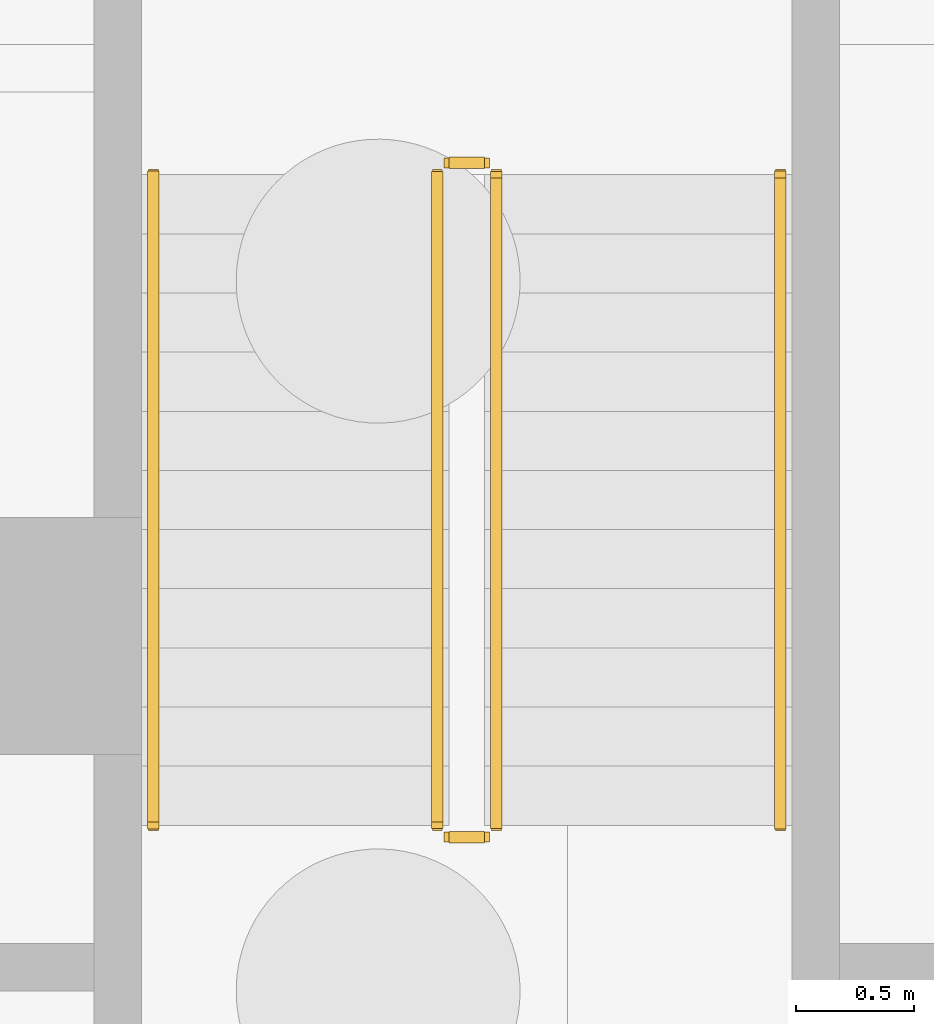
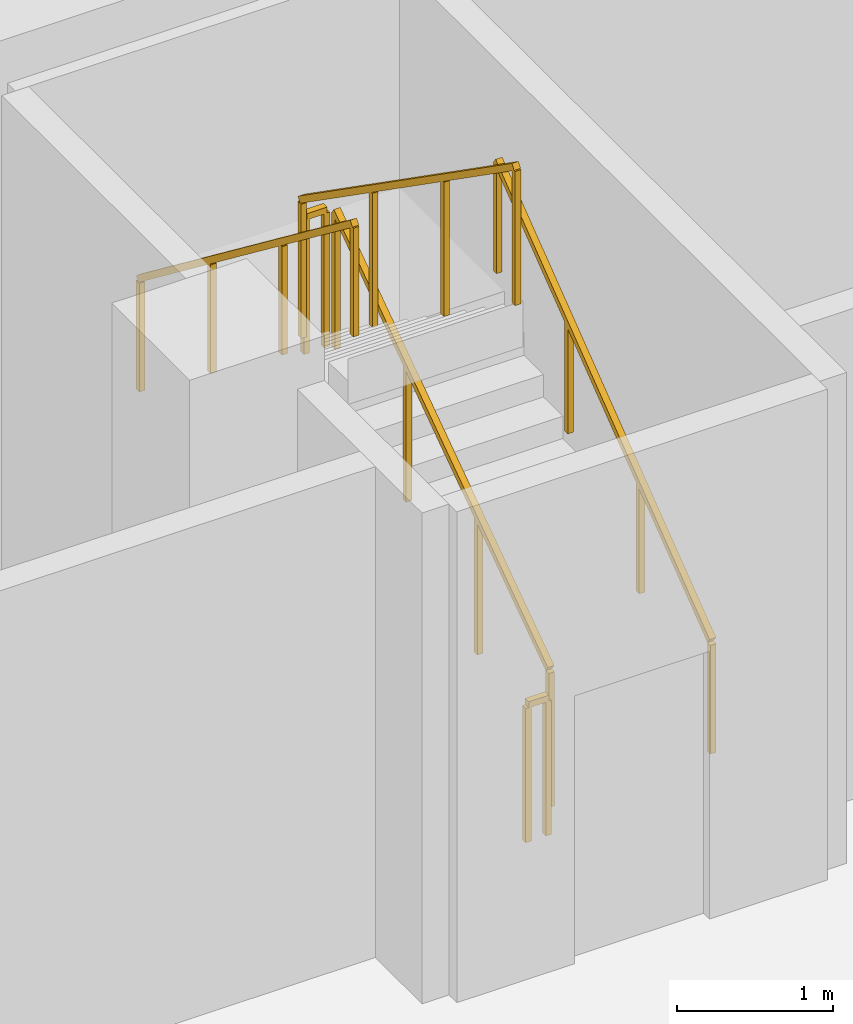
# One storey, part 19 of 21: 6 railings.
"""IFC4 building model written with IfcOpenShell, lengths in metres."""

from ifc_helpers import new_model, si_unit, direction, frame, origin, origin_2d, place, context, subcontext, project, spatial, rectangle, extrude, material, type_object, element, save


model = new_model("IFC4")

# Units and contexts
model_context = context("Model", 3, precision=1e-05, world=origin(), true_north=direction((0.0, 1.0)))
body_context = subcontext(model_context, "Body", "Model", "MODEL_VIEW")
ifc_project = project(units=[si_unit("LENGTHUNIT", "METRE"), si_unit("AREAUNIT", "SQUARE_METRE"), si_unit("VOLUMEUNIT", "CUBIC_METRE"), si_unit("PLANEANGLEUNIT", "RADIAN"), si_unit("MASSUNIT", "GRAM", prefix="KILO")], contexts=[model_context])

# Site, building, storey
site_placement = place(None, origin())
site = spatial("IfcSite", under=ifc_project, at=site_placement, CompositionType="ELEMENT")
building_placement = place(site_placement, origin())
building = spatial("IfcBuilding", under=site, at=building_placement, Name="Beryl Residences", CompositionType="ELEMENT")
storey_placement = place(building_placement, frame((0.0, 0.0, -8.39990234375)))
storey = spatial("IfcBuildingStorey", under=building, at=storey_placement, Name="B2", CompositionType="ELEMENT", Elevation=-8.39990234375)

# Railings
ifc_material_1 = material(Name="Stainless steel balustrade with glass infill", Category="steel")
railing_type_1 = type_object("IfcRailingType", Name="SG1 stair guard 1100 mm", PredefinedType="GUARDRAIL", material=ifc_material_1)
railing_1_placement = place(storey_placement, frame((-8.800048828125, 35.199951171875, 0.1748046875)))
element("IfcRailing", 1, at=railing_1_placement, inside=storey, type_object=railing_type_1, Name="B2 BS-2 stair guard 1", PredefinedType="GUARDRAIL", context=body_context, shape_type="SweptSolid", body=[
    extrude(rectangle(XDim=0.048095703125, YDim=0.048095703125, at=origin_2d()), frame((0.0, 0.0, 1.076171875), z_axis=(0.0, 0.819225086817, 0.573472106672), x_axis=(-1.0, 0.0, 0.0)), (0.0, 0.0, 1.0), 3.35693359375),
    extrude(rectangle(XDim=0.0419921875, YDim=0.0419921875, at=origin_2d()), origin(), (0.0, 0.0, 1.0), 1.052001953125),
    extrude(rectangle(XDim=0.0419921875, YDim=0.0419921875, at=origin_2d()), frame((0.0, 0.916748046875, 0.6416015625)), (0.0, 0.0, 1.0), 1.052001953125),
    extrude(rectangle(XDim=0.0419921875, YDim=0.0419921875, at=origin_2d()), frame((0.0, 1.833251953125, 1.283447265625)), (0.0, 0.0, 1.0), 1.052001953125),
    extrude(rectangle(XDim=0.0419921875, YDim=0.0419921875, at=origin_2d()), frame((0.0, 2.75, 1.925048828125)), (0.0, 0.0, 1.0), 1.052001953125),
])
railing_2_placement = place(storey_placement, frame((-8.85009765625, 38.0, 2.099853515625)))
element("IfcRailing", 2, at=railing_2_placement, inside=storey, type_object=railing_type_1, Name="B2 BS-2 stair guard 2", PredefinedType="GUARDRAIL", context=body_context, shape_type="SweptSolid", body=[
    extrude(rectangle(XDim=0.048095703125, YDim=0.048095703125, at=origin_2d()), frame((0.0, 0.0, 1.076171875), z_axis=(-1.0, 0.0, 0.0), x_axis=(0.0, -1.0, 0.0)), (0.0, 0.0, 1.0), 0.14990234375),
    extrude(rectangle(XDim=0.0419921875, YDim=0.0419921875, at=origin_2d()), origin(), (0.0, 0.0, 1.0), 1.052001953125),
    extrude(rectangle(XDim=0.0419921875, YDim=0.0419921875, at=origin_2d()), frame((-0.14990234375, 0.0, 0.0)), (0.0, 0.0, 1.0), 1.052001953125),
])
railing_3_placement = place(storey_placement, frame((-9.050048828125, 37.949951171875, 2.27490234375)))
element("IfcRailing", 3, at=railing_3_placement, inside=storey, type_object=railing_type_1, Name="B2 BS-2 stair guard 3", PredefinedType="GUARDRAIL", context=body_context, shape_type="SweptSolid", body=[
    extrude(rectangle(XDim=0.048095703125, YDim=0.048095703125, at=origin_2d()), frame((0.0, 0.0, 1.076171875), z_axis=(0.0, -0.819225086817, 0.573472106672), x_axis=(1.0, 0.0, 0.0)), (0.0, 0.0, 1.0), 3.35693359375),
    extrude(rectangle(XDim=0.0419921875, YDim=0.0419921875, at=origin_2d()), origin(), (0.0, 0.0, 1.0), 1.052001953125),
    extrude(rectangle(XDim=0.0419921875, YDim=0.0419921875, at=origin_2d()), frame((0.0, -0.916748046875, 0.6416015625)), (0.0, 0.0, 1.0), 1.052001953125),
    extrude(rectangle(XDim=0.0419921875, YDim=0.0419921875, at=origin_2d()), frame((0.0, -1.833251953125, 1.283447265625)), (0.0, 0.0, 1.0), 1.052001953125),
    extrude(rectangle(XDim=0.0419921875, YDim=0.0419921875, at=origin_2d()), frame((0.0, -2.75, 1.925048828125)), (0.0, 0.0, 1.0), 1.052001953125),
])
railing_4_placement = place(storey_placement, frame((-8.85009765625, 35.14990234375, 0.0)))
element("IfcRailing", 4, at=railing_4_placement, inside=storey, type_object=railing_type_1, Name="B2 BS-2 stair guard 4", PredefinedType="GUARDRAIL", context=body_context, shape_type="SweptSolid", body=[
    extrude(rectangle(XDim=0.048095703125, YDim=0.048095703125, at=origin_2d()), frame((0.0, 0.0, 1.076171875), z_axis=(-1.0, 0.0, 0.0), x_axis=(0.0, -1.0, 0.0)), (0.0, 0.0, 1.0), 0.14990234375),
    extrude(rectangle(XDim=0.0419921875, YDim=0.0419921875, at=origin_2d()), origin(), (0.0, 0.0, 1.0), 1.052001953125),
    extrude(rectangle(XDim=0.0419921875, YDim=0.0419921875, at=origin_2d()), frame((-0.14990234375, 0.0, 0.0)), (0.0, 0.0, 1.0), 1.052001953125),
])
ifc_material_2 = material(Name="Stainless steel handrail", Category="steel")
railing_type_2 = type_object("IfcRailingType", Name="SRL1 stair handrail 900 mm", PredefinedType="HANDRAIL", material=ifc_material_2)
railing_5_placement = place(storey_placement, frame((-7.60009765625, 35.199951171875, 0.1748046875)))
element("IfcRailing", 5, at=railing_5_placement, inside=storey, type_object=railing_type_2, Name="B2 BS-2 stair handrail 1", PredefinedType="HANDRAIL", context=body_context, shape_type="SweptSolid", body=[
    extrude(rectangle(XDim=0.048095703125, YDim=0.048095703125, at=origin_2d()), frame((0.0, 0.0, 0.8759765625), z_axis=(0.0, 0.794754200304, 0.60693143031), x_axis=(-1.0, 0.0, 0.0)), (0.0, 0.0, 1.0), 3.460205078125),
    extrude(rectangle(XDim=0.0419921875, YDim=0.0419921875, at=origin_2d()), origin(), (0.0, 0.0, 1.0), 0.851806640625),
    extrude(rectangle(XDim=0.0419921875, YDim=0.0419921875, at=origin_2d()), frame((0.0, 0.916748046875, 0.699951171875)), (0.0, 0.0, 1.0), 0.851806640625),
    extrude(rectangle(XDim=0.0419921875, YDim=0.0419921875, at=origin_2d()), frame((0.0, 1.833251953125, 1.400146484375)), (0.0, 0.0, 1.0), 0.851806640625),
    extrude(rectangle(XDim=0.0419921875, YDim=0.0419921875, at=origin_2d()), frame((0.0, 2.75, 2.10009765625)), (0.0, 0.0, 1.0), 0.851806640625),
])
railing_6_placement = place(storey_placement, frame((-10.25, 37.949951171875, 2.27490234375)))
element("IfcRailing", 6, at=railing_6_placement, inside=storey, type_object=railing_type_2, Name="B2 BS-2 stair handrail 2", PredefinedType="HANDRAIL", context=body_context, shape_type="SweptSolid", body=[
    extrude(rectangle(XDim=0.048095703125, YDim=0.048095703125, at=origin_2d()), frame((0.0, 0.0, 0.8759765625), z_axis=(0.0, -0.794754200304, 0.60693143031), x_axis=(1.0, 0.0, 0.0)), (0.0, 0.0, 1.0), 3.460205078125),
    extrude(rectangle(XDim=0.0419921875, YDim=0.0419921875, at=origin_2d()), origin(), (0.0, 0.0, 1.0), 0.851806640625),
    extrude(rectangle(XDim=0.0419921875, YDim=0.0419921875, at=origin_2d()), frame((0.0, -0.916748046875, 0.699951171875)), (0.0, 0.0, 1.0), 0.851806640625),
    extrude(rectangle(XDim=0.0419921875, YDim=0.0419921875, at=origin_2d()), frame((0.0, -1.833251953125, 1.400146484375)), (0.0, 0.0, 1.0), 0.851806640625),
    extrude(rectangle(XDim=0.0419921875, YDim=0.0419921875, at=origin_2d()), frame((0.0, -2.75, 2.10009765625)), (0.0, 0.0, 1.0), 0.851806640625),
])

save(model, "model.ifc")
